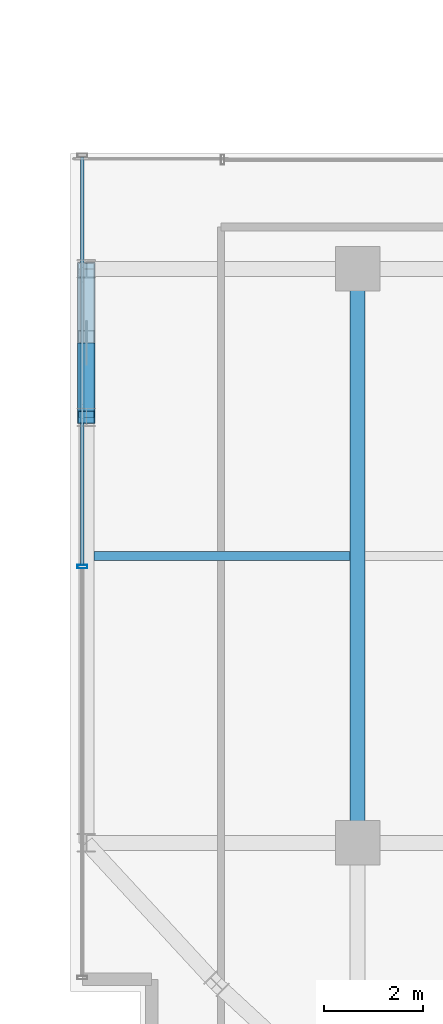
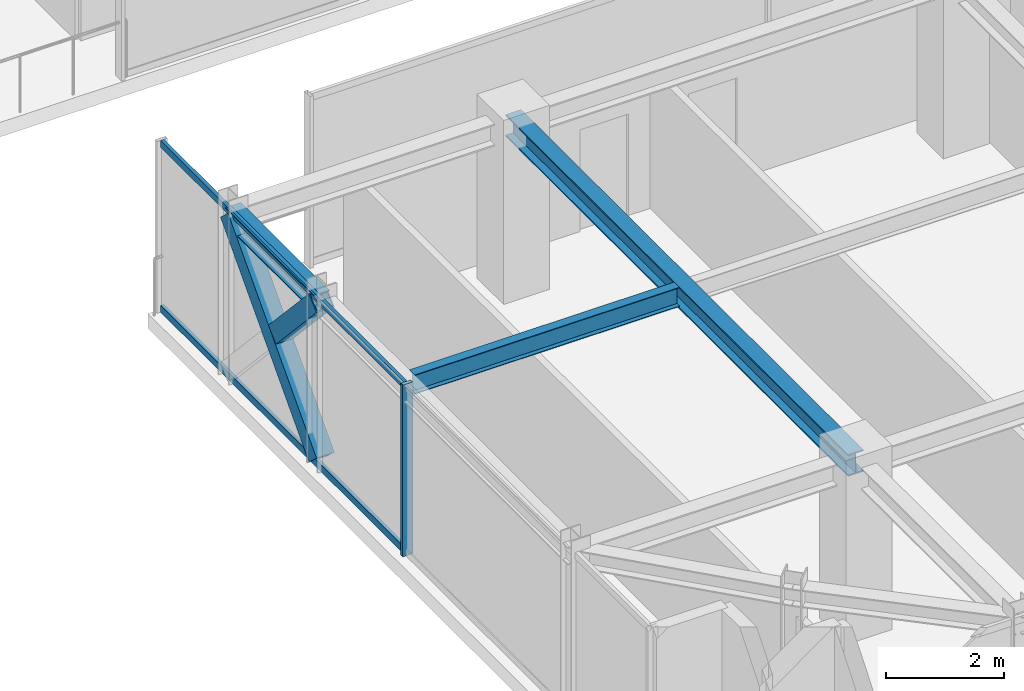
# One storey, part 6 of 40: 5 members, 3 beams, 1 element without a shape of its own.
"""IFC4 building model written with IfcOpenShell, lengths in metres."""

from ifc_helpers import new_model, si_unit, direction, frame, origin, origin_2d, place, context, subcontext, project, spatial, hollow_rectangle, i_section, extrude, source, transform, mapped, material, material_profile, profile_set, type_object, element, aggregate, save


model = new_model("IFC4")

# Units and contexts
model_context = context("Model", 3, precision=1e-05, world=origin(), true_north=direction((0.0, 1.0)))
body_context = subcontext(model_context, "Body", "Model", "MODEL_VIEW")
ifc_project = project(units=[si_unit("LENGTHUNIT", "METRE"), si_unit("AREAUNIT", "SQUARE_METRE"), si_unit("VOLUMEUNIT", "CUBIC_METRE"), si_unit("PLANEANGLEUNIT", "RADIAN"), si_unit("MASSUNIT", "GRAM", prefix="KILO")], contexts=[model_context])

# Site, building, storey
site_placement = place(None, origin())
site = spatial("IfcSite", under=ifc_project, at=site_placement, CompositionType="ELEMENT")
building_placement = place(site_placement, origin())
building = spatial("IfcBuilding", under=site, at=building_placement, Name="Nahalor Promenade Grand Hotel", CompositionType="ELEMENT")
storey_placement = place(building_placement, frame((0.0, 0.0, 288.800048828125)))
storey = spatial("IfcBuildingStorey", under=building, at=storey_placement, Name="L74", CompositionType="ELEMENT", Elevation=288.800048828125)

# Beams
ifc_material_1 = material(Name="Steel S355JR", Category="steel")
ifc_material_profile_1 = material_profile(ifc_material_1, i_section(OverallWidth=0.3, OverallDepth=0.45, WebThickness=0.014, FlangeThickness=0.026, at=origin_2d()), Name="HEB 450")
ifc_profile_set_1 = profile_set([ifc_material_profile_1], Name="Steel S355JR")
beam_type_1 = type_object("IfcBeamType", Name="Beam-Girder-HEB450", PredefinedType="BEAM", material=ifc_profile_set_1)
shared_shape_1 = source(origin(), body_context, "Body", "SweptSolid", [
    extrude(i_section(OverallWidth=0.3, OverallDepth=0.45, WebThickness=0.014, FlangeThickness=0.026, at=origin_2d()), origin(), (0.0, 0.0, 1.0), 11.60009765625),
])
beam_1_placement = place(storey_placement, frame((-17.0, -17.0, 3.324951171875), z_axis=(0.0, 1.0, 0.0), x_axis=(-1.0, 0.0, 0.0)))
element("IfcBeam", 1, at=beam_1_placement, inside=storey, type_object=beam_type_1, Name="BM-L74-GY-0-1", PredefinedType="BEAM", context=body_context, shape_type="MappedRepresentation", body=[
    mapped(shared_shape_1, transform((0.0, 0.0, 0.0), scale=1.0)),
])
ifc_material_profile_2 = material_profile(ifc_material_1, i_section(OverallWidth=0.18, OverallDepth=0.4, WebThickness=0.0086, FlangeThickness=0.0135, at=origin_2d()), Name="IPE 400")
ifc_profile_set_2 = profile_set([ifc_material_profile_2], Name="Steel S355JR")
beam_type_2 = type_object("IfcBeamType", Name="Beam-Joist-IPE400", PredefinedType="JOIST", material=ifc_profile_set_2)
shared_shape_2 = source(origin(), body_context, "Body", "SweptSolid", [
    extrude(i_section(OverallWidth=0.18, OverallDepth=0.4, WebThickness=0.0086, FlangeThickness=0.0135, at=origin_2d()), origin(), (0.0, 0.0, 1.0), 5.18017578125),
])
beam_2_placement = place(storey_placement, frame((-22.330078125, -11.199951171875, 3.349853515625), z_axis=(1.0, 0.0, 0.0), x_axis=(0.0, 1.0, 0.0)))
element("IfcBeam", 2, at=beam_2_placement, inside=storey, type_object=beam_type_2, Name="BM-L74-JSW-0-0", PredefinedType="JOIST", context=body_context, shape_type="MappedRepresentation", body=[
    mapped(shared_shape_2, transform((0.0, 0.0, 0.0), scale=1.0)),
])
ifc_material_profile_3 = material_profile(ifc_material_1, i_section(OverallWidth=0.3, OverallDepth=0.36, WebThickness=0.0125, FlangeThickness=0.0225, at=origin_2d()), Name="HEB 360")
ifc_profile_set_3 = profile_set([ifc_material_profile_3], Name="Steel S355JR")
beam_type_3 = type_object("IfcBeamType", Name="Beam-Spandrel-HEB360", PredefinedType="SPANDREL", material=ifc_profile_set_3)
shared_shape_3 = source(origin(), body_context, "Body", "SweptSolid", [
    extrude(i_section(OverallWidth=0.3, OverallDepth=0.36, WebThickness=0.0125, FlangeThickness=0.0225, at=origin_2d()), origin(), (0.0, 0.0, 1.0), 3.0),
])
beam_3_placement = place(storey_placement, frame((-22.47998046875, -8.39990234375, 3.369873046875), z_axis=(0.0, 1.0, 0.0), x_axis=(-1.0, 0.0, 0.0)))
element("IfcBeam", 3, at=beam_3_placement, inside=storey, type_object=beam_type_3, Name="BM-L74-SP-W-1", PredefinedType="SPANDREL", context=body_context, shape_type="MappedRepresentation", body=[
    mapped(shared_shape_3, transform((0.0, 0.0, 0.0), scale=1.0)),
])

# Members
ifc_material_profile_4 = material_profile(ifc_material_1, hollow_rectangle(XDim=0.35, YDim=0.35, WallThickness=0.02, at=origin_2d()), Name="SHS 350x350x20")
ifc_profile_set_4 = profile_set([ifc_material_profile_4], Name="Steel S355JR")
member_type_1 = type_object("IfcMemberType", Name="Mem-VoidBrace-SHS350", PredefinedType="BRACE", material=ifc_profile_set_4)
shared_shape_4 = source(origin(), body_context, "Body", "SweptSolid", [
    extrude(hollow_rectangle(XDim=0.35, YDim=0.35, WallThickness=0.02, at=origin_2d()), origin(), (0.0, 0.0, 1.0), 4.4228515625),
])
member_1_placement = place(storey_placement, frame((-22.47998046875, -8.39990234375, 0.14990234375), z_axis=(0.0, 0.678280102733, 0.734803444627), x_axis=(-1.0, 0.0, 0.0)))
element("IfcMember", 4, at=member_1_placement, inside=storey, type_object=member_type_1, Name="EXO-L74-VX1-W0", PredefinedType="BRACE", context=body_context, shape_type="MappedRepresentation", body=[
    mapped(shared_shape_4, transform((0.0, 0.0, 0.0), scale=1.0)),
])
shared_shape_5 = source(origin(), body_context, "Body", "SweptSolid", [
    extrude(hollow_rectangle(XDim=0.35, YDim=0.35, WallThickness=0.02, at=origin_2d()), origin(), (0.0, 0.0, 1.0), 2.02392578125),
])
member_2_placement = place(storey_placement, frame((-22.47998046875, -7.027099609375, 1.912841796875), z_axis=(0.0, -0.678315173958, 0.734771069639), x_axis=(1.0, 0.0, 0.0)))
element("IfcMember", 5, at=member_2_placement, inside=storey, type_object=member_type_1, Name="EXO-L74-VX2-W0B", PredefinedType="BRACE", context=body_context, shape_type="MappedRepresentation", body=[
    mapped(shared_shape_5, transform((0.0, 0.0, 0.0), scale=1.0)),
])

# Curtain wall, members
ifc_material_2 = material(Name="Anodised Bronze Aluminium EN AW-6063 T6", Category="aluminium")
curtain_wall_type = type_object("IfcCurtainWallType", Name="CW3 Elliptical-Void Collar Unitised Curtain Wall", PredefinedType="USERDEFINED", material=ifc_material_2)
curtain_wall_placement = place(storey_placement, origin())
curtain_wall = element("IfcCurtainWall", 6, at=curtain_wall_placement, inside=storey, type_object=curtain_wall_type, Name="L74 Curtain Wall CW-L74-W-1", ObjectType="UNITISED_CURTAIN_WALL", PredefinedType="USERDEFINED")
ifc_material_profile_5 = material_profile(ifc_material_2, hollow_rectangle(XDim=0.07, YDim=0.2, WallThickness=0.005, at=origin_2d()), Name="CWM 70x200x5")
ifc_profile_set_5 = profile_set([ifc_material_profile_5], Name="Anodised Bronze Aluminium EN AW-6063 T6")
member_type_2 = type_object("IfcMemberType", Name="CWM3 Void Collar Mullion 70x200", PredefinedType="MULLION", material=ifc_profile_set_5)
shared_shape_6 = source(origin(), body_context, "Body", "SweptSolid", [
    extrude(hollow_rectangle(XDim=0.07, YDim=0.2, WallThickness=0.005, at=origin_2d()), origin(), (0.0, 0.0, 1.0), 3.550048828125),
])
member_3_placement = place(storey_placement, frame((-22.56005859375, -11.41552734375, 0.0), z_axis=(0.0, 0.0, 1.0), x_axis=(0.0, 1.0, 0.0)))
member_3 = element("IfcMember", 7, at=member_3_placement, type_object=member_type_2, Name="CW-L74-W-1 Mullion 1", PredefinedType="MULLION", context=body_context, shape_type="MappedRepresentation", body=[
    mapped(shared_shape_6, transform((0.0, 0.0, 0.0), scale=1.0)),
])
ifc_material_profile_6 = material_profile(ifc_material_2, hollow_rectangle(XDim=0.07, YDim=0.14, WallThickness=0.004, at=origin_2d()), Name="CWT 70x140x4")
ifc_profile_set_6 = profile_set([ifc_material_profile_6], Name="Anodised Bronze Aluminium EN AW-6063 T6")
member_type_3 = type_object("IfcMemberType", Name="CWT3 Void Collar Transom 70x140", PredefinedType="USERDEFINED", material=ifc_profile_set_6)
shared_shape_7 = source(origin(), body_context, "Body", "SweptSolid", [
    extrude(hollow_rectangle(XDim=0.07, YDim=0.14, WallThickness=0.004, at=origin_2d()), origin(), (0.0, 0.0, 1.0), 8.239501953125),
])
member_4_placement = place(storey_placement, frame((-22.56005859375, -11.380615234375, 0.070068359375), z_axis=(0.0, 1.0, 0.0), x_axis=(-1.0, 0.0, 0.0)))
member_4 = element("IfcMember", 8, at=member_4_placement, type_object=member_type_3, Name="CW-L74-W-1 Transom 1-0", ObjectType="TRANSOM", PredefinedType="USERDEFINED", context=body_context, shape_type="MappedRepresentation", body=[
    mapped(shared_shape_7, transform((0.0, 0.0, 0.0), scale=1.0)),
])
member_5_placement = place(storey_placement, frame((-22.56005859375, -11.380615234375, 3.47998046875), z_axis=(0.0, 1.0, 0.0), x_axis=(-1.0, 0.0, 0.0)))
member_5 = element("IfcMember", 9, at=member_5_placement, type_object=member_type_3, Name="CW-L74-W-1 Transom 1-1", ObjectType="TRANSOM", PredefinedType="USERDEFINED", context=body_context, shape_type="MappedRepresentation", body=[
    mapped(shared_shape_7, transform((0.0, 0.0, 0.0), scale=1.0)),
])
aggregate(curtain_wall, [member_3, member_4, member_5])

save(model, "model.ifc")
